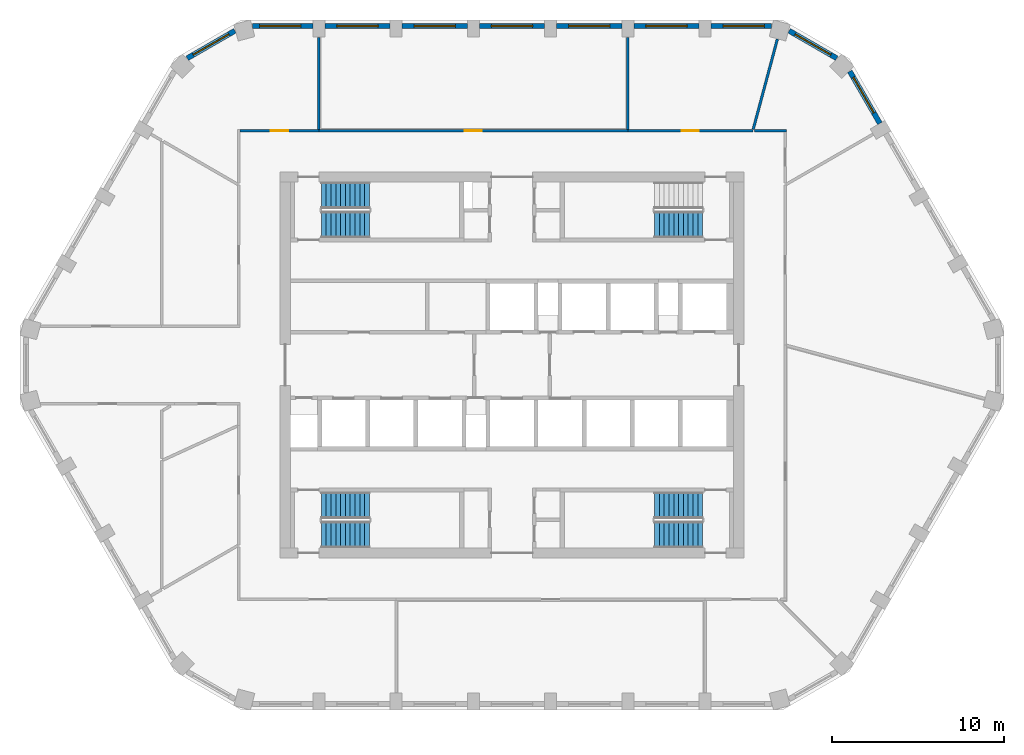
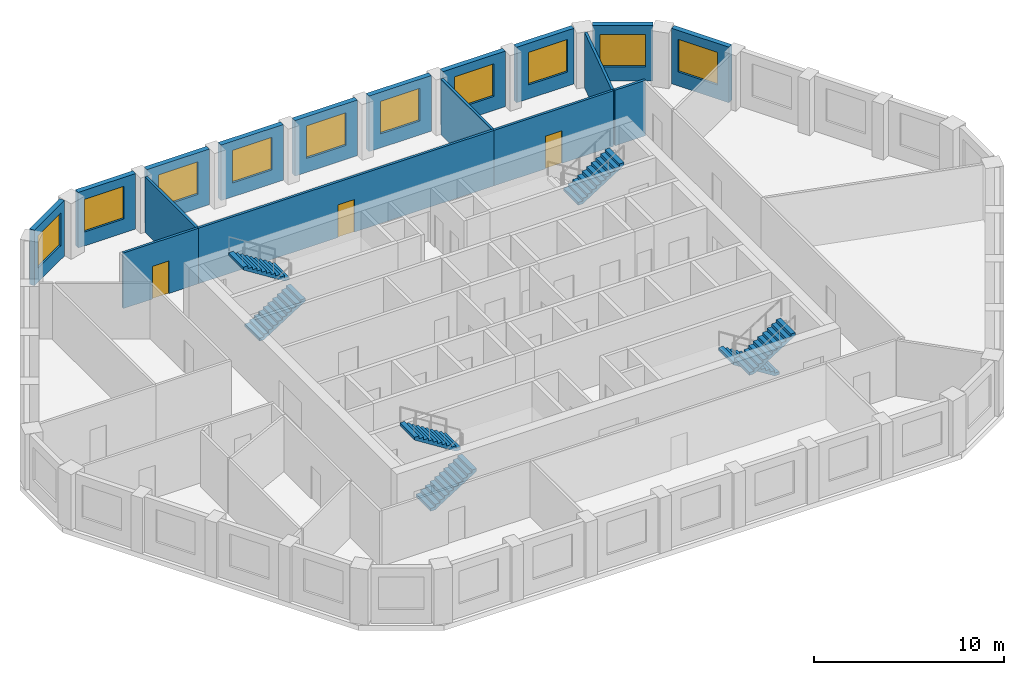
# One storey, part 6 of 10: 17 walls, 10 windows, 7 stair flights, 3 doors, 13 openings, 4 elements without a shape of their own.
"""IFC4 building model written with IfcOpenShell, lengths in metres."""

from ifc_helpers import new_model, si_unit, direction, frame, frame_2d, origin, place, context, subcontext, project, spatial, polyline, rectangle, outline, extrude, material, layer, layer_set, type_object, element, fill, aggregate, save


model = new_model("IFC4")

# Units and contexts
model_context = context("Model", 3, precision=1e-05, world=origin(), true_north=direction((0.0, 1.0)))
body_context = subcontext(model_context, "Body", "Model", "MODEL_VIEW")
ifc_project = project(units=[si_unit("LENGTHUNIT", "METRE"), si_unit("AREAUNIT", "SQUARE_METRE"), si_unit("VOLUMEUNIT", "CUBIC_METRE"), si_unit("PLANEANGLEUNIT", "RADIAN"), si_unit("MASSUNIT", "GRAM", prefix="KILO")], contexts=[model_context])

# Site, building, storey
site_placement = place(None, origin())
site = spatial("IfcSite", under=ifc_project, at=site_placement, CompositionType="ELEMENT")
building_placement = place(site_placement, origin())
building = spatial("IfcBuilding", under=site, at=building_placement, Name="Dhurran Vertical Campus", CompositionType="ELEMENT")
storey_placement = place(building_placement, frame((0.0, 0.0, 243.0)))
storey = spatial("IfcBuildingStorey", under=building, at=storey_placement, Name="L60", CompositionType="ELEMENT", Elevation=243.0)

# Wall, opening, window
ifc_material_1 = material(Name="Precast concrete C50/60", Category="concrete")
ifc_layer_1 = layer(ifc_material_1, 0.300048828125)
ifc_layer_set_1 = layer_set([ifc_layer_1], Name="Precast concrete C50/60")
wall_type_1 = type_object("IfcWallType", Name="Precast spandrel wall 300", PredefinedType="SOLIDWALL", material=ifc_layer_set_1)
wall_1_placement = place(storey_placement, frame((21.418701171875, 14.06982421875, 0.0), z_axis=(0.0, 0.0, 1.0), x_axis=(-0.499960102815, 0.866048437209, 0.0)))
wall_1 = element("IfcWall", 1, at=wall_1_placement, inside=storey, type_object=wall_type_1, Name="EW1 L60.16", PredefinedType="SOLIDWALL", context=body_context, shape_type="SweptSolid", body=[
    extrude(rectangle(XDim=3.497802734375, YDim=0.300048828125, at=frame_2d((1.7490234375, 0.0))), origin(), (0.0, 0.0, 1.0), 3.574951171875),
])
opening_1_placement = place(wall_1_placement, frame((0.699462890625, 0.0, 0.89990234375)))
opening_1 = element("IfcOpeningElement", 2, at=opening_1_placement, cuts=wall_1, Name="Opening WT1", PredefinedType="OPENING", context=body_context, shape_type="SweptSolid", body=[
    extrude(rectangle(XDim=2.39990234375, YDim=2.10009765625, at=frame_2d((1.199951171875, 1.050048828125))), frame((0.0, 0.159912109375, 0.0), z_axis=(0.0, -1.0, 0.0), x_axis=(1.0, 0.0, 0.0)), (0.0, 0.0, 1.0), 0.320068359375),
])
ifc_material_2 = material(Name="Aluminium frame with solar-control glass", Category="aluminium")
window_type = type_object("IfcWindowType", Name="Punched window 2400 x 2100", PartitioningType="SINGLE_PANEL", PredefinedType="WINDOW", material=ifc_material_2)
window_1_placement = place(opening_1_placement, origin())
window_1 = element("IfcWindow", 3, at=window_1_placement, inside=storey, type_object=window_type, Name="WT1 L60.16", OverallHeight=2.10009765625, OverallWidth=2.39990234375, PartitioningType="SINGLE_PANEL", PredefinedType="WINDOW", context=body_context, shape_type="SweptSolid", body=[
    extrude(rectangle(XDim=2.39990234375, YDim=2.10009765625, at=frame_2d((1.199951171875, 1.050048828125))), frame((0.0, 0.030029296875, 0.0), z_axis=(0.0, -1.0, 0.0), x_axis=(1.0, 0.0, 0.0)), (0.0, 0.0, 1.0), 0.06005859375),
])
fill(opening_1, window_1)

wall_2_placement = place(storey_placement, frame((18.90771484375, 17.861328125, 0.0), z_axis=(0.0, 0.0, 1.0), x_axis=(-0.866025316205, 0.500000151692, 0.0)))
wall_2 = element("IfcWall", 4, at=wall_2_placement, inside=storey, type_object=wall_type_1, Name="EW1 L60.17", PredefinedType="SOLIDWALL", context=body_context, shape_type="SweptSolid", body=[
    extrude(rectangle(XDim=3.1962890625, YDim=0.300048828125, at=frame_2d((1.59814453125, 0.0))), origin(), (0.0, 0.0, 1.0), 3.574951171875),
])
opening_2_placement = place(wall_2_placement, frame((0.398193359375, 0.0, 0.89990234375)))
opening_2 = element("IfcOpeningElement", 5, at=opening_2_placement, cuts=wall_2, Name="Opening WT1", PredefinedType="OPENING", context=body_context, shape_type="SweptSolid", body=[
    extrude(rectangle(XDim=2.39990234375, YDim=2.10009765625, at=frame_2d((1.199951171875, 1.050048828125))), frame((0.0, 0.159912109375, 0.0), z_axis=(0.0, -1.0, 0.0), x_axis=(1.0, 0.0, 0.0)), (0.0, 0.0, 1.0), 0.320068359375),
])
window_2_placement = place(opening_2_placement, origin())
window_2 = element("IfcWindow", 6, at=window_2_placement, inside=storey, type_object=window_type, Name="WT1 L60.17", OverallHeight=2.10009765625, OverallWidth=2.39990234375, PartitioningType="SINGLE_PANEL", PredefinedType="WINDOW", context=body_context, shape_type="SweptSolid", body=[
    extrude(rectangle(XDim=2.39990234375, YDim=2.10009765625, at=frame_2d((1.199951171875, 1.050048828125))), frame((0.0, 0.030029296875, 0.0), z_axis=(0.0, -1.0, 0.0), x_axis=(1.0, 0.0, 0.0)), (0.0, 0.0, 1.0), 0.06005859375),
])
fill(opening_2, window_2)

wall_3_placement = place(storey_placement, frame((15.09814453125, 19.738525390625, 0.0), z_axis=(0.0, 0.0, 1.0), x_axis=(-1.0, 0.0, 0.0)))
wall_3 = element("IfcWall", 7, at=wall_3_placement, inside=storey, type_object=wall_type_1, Name="EW1 L60.18", PredefinedType="SOLIDWALL", context=body_context, shape_type="SweptSolid", body=[
    extrude(rectangle(XDim=3.49755859375, YDim=0.300048828125, at=frame_2d((1.748779296875, 0.0))), origin(), (0.0, 0.0, 1.0), 3.574951171875),
])
opening_3_placement = place(wall_3_placement, frame((0.398193359375, 0.0, 0.89990234375)))
opening_3 = element("IfcOpeningElement", 8, at=opening_3_placement, cuts=wall_3, Name="Opening WT1", PredefinedType="OPENING", context=body_context, shape_type="SweptSolid", body=[
    extrude(rectangle(XDim=2.39990234375, YDim=2.10009765625, at=frame_2d((1.199951171875, 1.050048828125))), frame((0.0, 0.159912109375, 0.0), z_axis=(0.0, -1.0, 0.0), x_axis=(1.0, 0.0, 0.0)), (0.0, 0.0, 1.0), 0.320068359375),
])
window_3_placement = place(opening_3_placement, origin())
window_3 = element("IfcWindow", 9, at=window_3_placement, inside=storey, type_object=window_type, Name="WT1 L60.18", OverallHeight=2.10009765625, OverallWidth=2.39990234375, PartitioningType="SINGLE_PANEL", PredefinedType="WINDOW", context=body_context, shape_type="SweptSolid", body=[
    extrude(rectangle(XDim=2.39990234375, YDim=2.10009765625, at=frame_2d((1.199951171875, 1.050048828125))), frame((0.0, 0.030029296875, 0.0), z_axis=(0.0, -1.0, 0.0), x_axis=(1.0, 0.0, 0.0)), (0.0, 0.0, 1.0), 0.06005859375),
])
fill(opening_3, window_3)

wall_4_placement = place(storey_placement, frame((10.8994140625, 19.738525390625, 0.0), z_axis=(0.0, 0.0, 1.0), x_axis=(-1.0, 0.0, 0.0)))
wall_4 = element("IfcWall", 10, at=wall_4_placement, inside=storey, type_object=wall_type_1, Name="EW1 L60.19", PredefinedType="SOLIDWALL", context=body_context, shape_type="SweptSolid", body=[
    extrude(rectangle(XDim=3.798828125, YDim=0.300048828125, at=frame_2d((1.8994140625, 0.0))), origin(), (0.0, 0.0, 1.0), 3.574951171875),
])
opening_4_placement = place(wall_4_placement, frame((0.699462890625, 0.0, 0.89990234375)))
opening_4 = element("IfcOpeningElement", 11, at=opening_4_placement, cuts=wall_4, Name="Opening WT1", PredefinedType="OPENING", context=body_context, shape_type="SweptSolid", body=[
    extrude(rectangle(XDim=2.39990234375, YDim=2.10009765625, at=frame_2d((1.199951171875, 1.050048828125))), frame((0.0, 0.159912109375, 0.0), z_axis=(0.0, -1.0, 0.0), x_axis=(1.0, 0.0, 0.0)), (0.0, 0.0, 1.0), 0.320068359375),
])
window_4_placement = place(opening_4_placement, origin())
window_4 = element("IfcWindow", 12, at=window_4_placement, inside=storey, type_object=window_type, Name="WT1 L60.19", OverallHeight=2.10009765625, OverallWidth=2.39990234375, PartitioningType="SINGLE_PANEL", PredefinedType="WINDOW", context=body_context, shape_type="SweptSolid", body=[
    extrude(rectangle(XDim=2.39990234375, YDim=2.10009765625, at=frame_2d((1.199951171875, 1.050048828125))), frame((0.0, 0.030029296875, 0.0), z_axis=(0.0, -1.0, 0.0), x_axis=(1.0, 0.0, 0.0)), (0.0, 0.0, 1.0), 0.06005859375),
])
fill(opening_4, window_4)

wall_5_placement = place(storey_placement, frame((6.3994140625, 19.738525390625, 0.0), z_axis=(0.0, 0.0, 1.0), x_axis=(-1.0, 0.0, 0.0)))
wall_5 = element("IfcWall", 13, at=wall_5_placement, inside=storey, type_object=wall_type_1, Name="EW1 L60.20", PredefinedType="SOLIDWALL", context=body_context, shape_type="SweptSolid", body=[
    extrude(rectangle(XDim=3.798828125, YDim=0.300048828125, at=frame_2d((1.8994140625, 0.0))), origin(), (0.0, 0.0, 1.0), 3.574951171875),
])
opening_5_placement = place(wall_5_placement, frame((0.699462890625, 0.0, 0.89990234375)))
opening_5 = element("IfcOpeningElement", 14, at=opening_5_placement, cuts=wall_5, Name="Opening WT1", PredefinedType="OPENING", context=body_context, shape_type="SweptSolid", body=[
    extrude(rectangle(XDim=2.39990234375, YDim=2.10009765625, at=frame_2d((1.199951171875, 1.050048828125))), frame((0.0, 0.159912109375, 0.0), z_axis=(0.0, -1.0, 0.0), x_axis=(1.0, 0.0, 0.0)), (0.0, 0.0, 1.0), 0.320068359375),
])
window_5_placement = place(opening_5_placement, origin())
window_5 = element("IfcWindow", 15, at=window_5_placement, inside=storey, type_object=window_type, Name="WT1 L60.20", OverallHeight=2.10009765625, OverallWidth=2.39990234375, PartitioningType="SINGLE_PANEL", PredefinedType="WINDOW", context=body_context, shape_type="SweptSolid", body=[
    extrude(rectangle(XDim=2.39990234375, YDim=2.10009765625, at=frame_2d((1.199951171875, 1.050048828125))), frame((0.0, 0.030029296875, 0.0), z_axis=(0.0, -1.0, 0.0), x_axis=(1.0, 0.0, 0.0)), (0.0, 0.0, 1.0), 0.06005859375),
])
fill(opening_5, window_5)

wall_6_placement = place(storey_placement, frame((1.8994140625, 19.738525390625, 0.0), z_axis=(0.0, 0.0, 1.0), x_axis=(-1.0, 0.0, 0.0)))
wall_6 = element("IfcWall", 16, at=wall_6_placement, inside=storey, type_object=wall_type_1, Name="EW1 L60.21", PredefinedType="SOLIDWALL", context=body_context, shape_type="SweptSolid", body=[
    extrude(rectangle(XDim=3.798828125, YDim=0.300048828125, at=frame_2d((1.8994140625, 0.0))), origin(), (0.0, 0.0, 1.0), 3.574951171875),
])
opening_6_placement = place(wall_6_placement, frame((0.699462890625, 0.0, 0.89990234375)))
opening_6 = element("IfcOpeningElement", 17, at=opening_6_placement, cuts=wall_6, Name="Opening WT1", PredefinedType="OPENING", context=body_context, shape_type="SweptSolid", body=[
    extrude(rectangle(XDim=2.39990234375, YDim=2.10009765625, at=frame_2d((1.199951171875, 1.050048828125))), frame((0.0, 0.159912109375, 0.0), z_axis=(0.0, -1.0, 0.0), x_axis=(1.0, 0.0, 0.0)), (0.0, 0.0, 1.0), 0.320068359375),
])
window_6_placement = place(opening_6_placement, origin())
window_6 = element("IfcWindow", 18, at=window_6_placement, inside=storey, type_object=window_type, Name="WT1 L60.21", OverallHeight=2.10009765625, OverallWidth=2.39990234375, PartitioningType="SINGLE_PANEL", PredefinedType="WINDOW", context=body_context, shape_type="SweptSolid", body=[
    extrude(rectangle(XDim=2.39990234375, YDim=2.10009765625, at=frame_2d((1.199951171875, 1.050048828125))), frame((0.0, 0.030029296875, 0.0), z_axis=(0.0, -1.0, 0.0), x_axis=(1.0, 0.0, 0.0)), (0.0, 0.0, 1.0), 0.06005859375),
])
fill(opening_6, window_6)

wall_7_placement = place(storey_placement, frame((-2.6005859375, 19.738525390625, 0.0), z_axis=(0.0, 0.0, 1.0), x_axis=(-1.0, 0.0, 0.0)))
wall_7 = element("IfcWall", 19, at=wall_7_placement, inside=storey, type_object=wall_type_1, Name="EW1 L60.22", PredefinedType="SOLIDWALL", context=body_context, shape_type="SweptSolid", body=[
    extrude(rectangle(XDim=3.798828125, YDim=0.300048828125, at=frame_2d((1.8994140625, 0.0))), origin(), (0.0, 0.0, 1.0), 3.574951171875),
])
opening_7_placement = place(wall_7_placement, frame((0.699462890625, 0.0, 0.89990234375)))
opening_7 = element("IfcOpeningElement", 20, at=opening_7_placement, cuts=wall_7, Name="Opening WT1", PredefinedType="OPENING", context=body_context, shape_type="SweptSolid", body=[
    extrude(rectangle(XDim=2.39990234375, YDim=2.10009765625, at=frame_2d((1.199951171875, 1.050048828125))), frame((0.0, 0.159912109375, 0.0), z_axis=(0.0, -1.0, 0.0), x_axis=(1.0, 0.0, 0.0)), (0.0, 0.0, 1.0), 0.320068359375),
])
window_7_placement = place(opening_7_placement, origin())
window_7 = element("IfcWindow", 21, at=window_7_placement, inside=storey, type_object=window_type, Name="WT1 L60.22", OverallHeight=2.10009765625, OverallWidth=2.39990234375, PartitioningType="SINGLE_PANEL", PredefinedType="WINDOW", context=body_context, shape_type="SweptSolid", body=[
    extrude(rectangle(XDim=2.39990234375, YDim=2.10009765625, at=frame_2d((1.199951171875, 1.050048828125))), frame((0.0, 0.030029296875, 0.0), z_axis=(0.0, -1.0, 0.0), x_axis=(1.0, 0.0, 0.0)), (0.0, 0.0, 1.0), 0.06005859375),
])
fill(opening_7, window_7)

wall_8_placement = place(storey_placement, frame((-7.1005859375, 19.738525390625, 0.0), z_axis=(0.0, 0.0, 1.0), x_axis=(-1.0, 0.0, 0.0)))
wall_8 = element("IfcWall", 22, at=wall_8_placement, inside=storey, type_object=wall_type_1, Name="EW1 L60.23", PredefinedType="SOLIDWALL", context=body_context, shape_type="SweptSolid", body=[
    extrude(rectangle(XDim=3.798828125, YDim=0.300048828125, at=frame_2d((1.8994140625, 0.0))), origin(), (0.0, 0.0, 1.0), 3.574951171875),
])
opening_8_placement = place(wall_8_placement, frame((0.699462890625, 0.0, 0.89990234375)))
opening_8 = element("IfcOpeningElement", 23, at=opening_8_placement, cuts=wall_8, Name="Opening WT1", PredefinedType="OPENING", context=body_context, shape_type="SweptSolid", body=[
    extrude(rectangle(XDim=2.39990234375, YDim=2.10009765625, at=frame_2d((1.199951171875, 1.050048828125))), frame((0.0, 0.159912109375, 0.0), z_axis=(0.0, -1.0, 0.0), x_axis=(1.0, 0.0, 0.0)), (0.0, 0.0, 1.0), 0.320068359375),
])
window_8_placement = place(opening_8_placement, origin())
window_8 = element("IfcWindow", 24, at=window_8_placement, inside=storey, type_object=window_type, Name="WT1 L60.23", OverallHeight=2.10009765625, OverallWidth=2.39990234375, PartitioningType="SINGLE_PANEL", PredefinedType="WINDOW", context=body_context, shape_type="SweptSolid", body=[
    extrude(rectangle(XDim=2.39990234375, YDim=2.10009765625, at=frame_2d((1.199951171875, 1.050048828125))), frame((0.0, 0.030029296875, 0.0), z_axis=(0.0, -1.0, 0.0), x_axis=(1.0, 0.0, 0.0)), (0.0, 0.0, 1.0), 0.06005859375),
])
fill(opening_8, window_8)

wall_9_placement = place(storey_placement, frame((-11.6005859375, 19.738525390625, 0.0), z_axis=(0.0, 0.0, 1.0), x_axis=(-1.0, 0.0, 0.0)))
wall_9 = element("IfcWall", 25, at=wall_9_placement, inside=storey, type_object=wall_type_1, Name="EW1 L60.24", PredefinedType="SOLIDWALL", context=body_context, shape_type="SweptSolid", body=[
    extrude(rectangle(XDim=3.49755859375, YDim=0.300048828125, at=frame_2d((1.748779296875, 0.0))), origin(), (0.0, 0.0, 1.0), 3.574951171875),
])
opening_9_placement = place(wall_9_placement, frame((0.699462890625, 0.0, 0.89990234375)))
opening_9 = element("IfcOpeningElement", 26, at=opening_9_placement, cuts=wall_9, Name="Opening WT1", PredefinedType="OPENING", context=body_context, shape_type="SweptSolid", body=[
    extrude(rectangle(XDim=2.39990234375, YDim=2.10009765625, at=frame_2d((1.199951171875, 1.050048828125))), frame((0.0, 0.159912109375, 0.0), z_axis=(0.0, -1.0, 0.0), x_axis=(1.0, 0.0, 0.0)), (0.0, 0.0, 1.0), 0.320068359375),
])
window_9_placement = place(opening_9_placement, origin())
window_9 = element("IfcWindow", 27, at=window_9_placement, inside=storey, type_object=window_type, Name="WT1 L60.24", OverallHeight=2.10009765625, OverallWidth=2.39990234375, PartitioningType="SINGLE_PANEL", PredefinedType="WINDOW", context=body_context, shape_type="SweptSolid", body=[
    extrude(rectangle(XDim=2.39990234375, YDim=2.10009765625, at=frame_2d((1.199951171875, 1.050048828125))), frame((0.0, 0.030029296875, 0.0), z_axis=(0.0, -1.0, 0.0), x_axis=(1.0, 0.0, 0.0)), (0.0, 0.0, 1.0), 0.06005859375),
])
fill(opening_9, window_9)

wall_10_placement = place(storey_placement, frame((-16.1396484375, 19.45947265625, 0.0), z_axis=(0.0, 0.0, 1.0), x_axis=(-0.866025316205, -0.500000151692, 0.0)))
wall_10 = element("IfcWall", 28, at=wall_10_placement, inside=storey, type_object=wall_type_1, Name="EW1 L60.25", PredefinedType="SOLIDWALL", context=body_context, shape_type="SweptSolid", body=[
    extrude(rectangle(XDim=3.1962890625, YDim=0.300048828125, at=frame_2d((1.59814453125, 0.0))), origin(), (0.0, 0.0, 1.0), 3.574951171875),
])
opening_10_placement = place(wall_10_placement, frame((0.398193359375, 0.0, 0.89990234375)))
opening_10 = element("IfcOpeningElement", 29, at=opening_10_placement, cuts=wall_10, Name="Opening WT1", PredefinedType="OPENING", context=body_context, shape_type="SweptSolid", body=[
    extrude(rectangle(XDim=2.39990234375, YDim=2.10009765625, at=frame_2d((1.199951171875, 1.050048828125))), frame((0.0, 0.159912109375, 0.0), z_axis=(0.0, -1.0, 0.0), x_axis=(1.0, 0.0, 0.0)), (0.0, 0.0, 1.0), 0.320068359375),
])
window_10_placement = place(opening_10_placement, origin())
window_10 = element("IfcWindow", 30, at=window_10_placement, inside=storey, type_object=window_type, Name="WT1 L60.25", OverallHeight=2.10009765625, OverallWidth=2.39990234375, PartitioningType="SINGLE_PANEL", PredefinedType="WINDOW", context=body_context, shape_type="SweptSolid", body=[
    extrude(rectangle(XDim=2.39990234375, YDim=2.10009765625, at=frame_2d((1.199951171875, 1.050048828125))), frame((0.0, 0.030029296875, 0.0), z_axis=(0.0, -1.0, 0.0), x_axis=(1.0, 0.0, 0.0)), (0.0, 0.0, 1.0), 0.06005859375),
])
fill(opening_10, window_10)

# Wall, opening, door
ifc_material_3 = material(Name="Gypsum board corridor wall on steel studs", Category="steel")
ifc_layer_2 = layer(ifc_material_3, 0.14990234375)
ifc_layer_set_2 = layer_set([ifc_layer_2], Name="Gypsum board corridor wall on steel studs")
wall_type_2 = type_object("IfcWallType", Name="fl-CW-150 corridor wall", PredefinedType="PARTITIONING", material=ifc_layer_set_2)
wall_11_placement = place(storey_placement, frame((-11.25, 13.64990234375, 0.0), z_axis=(0.0, 0.0, 1.0), x_axis=(-1.0, 0.0, 0.0)))
wall_11 = element("IfcWall", 31, at=wall_11_placement, inside=storey, type_object=wall_type_2, Name="Partition 60-20", PredefinedType="PARTITIONING", context=body_context, shape_type="SweptSolid", body=[
    extrude(rectangle(XDim=4.574951171875, YDim=0.14990234375, at=frame_2d((2.28759765625, 0.0))), origin(), (0.0, 0.0, 1.0), 3.574951171875),
])
opening_11_placement = place(wall_11_placement, frame((1.78759765625, 0.0, 0.0)))
opening_11 = element("IfcOpeningElement", 32, at=opening_11_placement, cuts=wall_11, Name="Opening T17.06", PredefinedType="OPENING", context=body_context, shape_type="SweptSolid", body=[
    extrude(rectangle(XDim=1.0, YDim=2.10009765625, at=frame_2d((0.5, 1.050048828125))), frame((0.0, 0.0849609375, 0.0), z_axis=(0.0, -1.0, 0.0), x_axis=(1.0, 0.0, 0.0)), (0.0, 0.0, 1.0), 0.169921875),
])
ifc_material_4 = material(Name="Solid-core timber door set, fire-rated", Category="wood")
door_type = type_object("IfcDoorType", Name="fl-D-1000x2100", OperationType="SINGLE_SWING_LEFT", PredefinedType="DOOR", material=ifc_material_4)
door_1_placement = place(opening_11_placement, origin())
door_1 = element("IfcDoor", 33, at=door_1_placement, inside=storey, type_object=door_type, Name="Door 60.06", OperationType="SINGLE_SWING_LEFT", OverallHeight=2.10009765625, OverallWidth=1.0, PredefinedType="DOOR", context=body_context, shape_type="SweptSolid", body=[
    extrude(rectangle(XDim=1.0, YDim=2.10009765625, at=frame_2d((0.5, 1.050048828125))), frame((0.0, 0.02490234375, 0.0), z_axis=(0.0, -1.0, 0.0), x_axis=(1.0, 0.0, 0.0)), (0.0, 0.0, 1.0), 0.050048828125),
])
fill(opening_11, door_1)

wall_12_placement = place(storey_placement, frame((6.75, 13.64990234375, 0.0), z_axis=(0.0, 0.0, 1.0), x_axis=(-1.0, 0.0, 0.0)))
wall_12 = element("IfcWall", 34, at=wall_12_placement, inside=storey, type_object=wall_type_2, Name="Partition 60-22", PredefinedType="PARTITIONING", context=body_context, shape_type="SweptSolid", body=[
    extrude(rectangle(XDim=18.0, YDim=0.14990234375, at=frame_2d((9.0, 0.0))), origin(), (0.0, 0.0, 1.0), 3.574951171875),
])
opening_12_placement = place(wall_12_placement, frame((8.5, 0.0, 0.0)))
opening_12 = element("IfcOpeningElement", 35, at=opening_12_placement, cuts=wall_12, Name="Opening T17.08", PredefinedType="OPENING", context=body_context, shape_type="SweptSolid", body=[
    extrude(rectangle(XDim=1.0, YDim=2.10009765625, at=frame_2d((0.5, 1.050048828125))), frame((0.0, 0.0849609375, 0.0), z_axis=(0.0, -1.0, 0.0), x_axis=(1.0, 0.0, 0.0)), (0.0, 0.0, 1.0), 0.169921875),
])
door_2_placement = place(opening_12_placement, origin())
door_2 = element("IfcDoor", 36, at=door_2_placement, inside=storey, type_object=door_type, Name="Door 60.08", OperationType="SINGLE_SWING_RIGHT", OverallHeight=2.10009765625, OverallWidth=1.0, PredefinedType="DOOR", context=body_context, shape_type="SweptSolid", body=[
    extrude(rectangle(XDim=1.0, YDim=2.10009765625, at=frame_2d((0.5, 1.050048828125))), frame((0.0, 0.02490234375, 0.0), z_axis=(0.0, -1.0, 0.0), x_axis=(1.0, 0.0, 0.0)), (0.0, 0.0, 1.0), 0.050048828125),
])
fill(opening_12, door_2)

wall_13_placement = place(storey_placement, frame((14.02490234375, 13.64990234375, 0.0), z_axis=(0.0, 0.0, 1.0), x_axis=(-1.0, 0.0, 0.0)))
wall_13 = element("IfcWall", 37, at=wall_13_placement, inside=storey, type_object=wall_type_2, Name="Partition 60-26", PredefinedType="PARTITIONING", context=body_context, shape_type="SweptSolid", body=[
    extrude(rectangle(XDim=7.27490234375, YDim=0.14990234375, at=frame_2d((3.637451171875, 0.0))), origin(), (0.0, 0.0, 1.0), 3.574951171875),
])
opening_13_placement = place(wall_13_placement, frame((3.137451171875, 0.0, 0.0)))
opening_13 = element("IfcOpeningElement", 38, at=opening_13_placement, cuts=wall_13, Name="Opening T17.10", PredefinedType="OPENING", context=body_context, shape_type="SweptSolid", body=[
    extrude(rectangle(XDim=1.0, YDim=2.10009765625, at=frame_2d((0.5, 1.050048828125))), frame((0.0, 0.0849609375, 0.0), z_axis=(0.0, -1.0, 0.0), x_axis=(1.0, 0.0, 0.0)), (0.0, 0.0, 1.0), 0.169921875),
])
door_3_placement = place(opening_13_placement, origin())
door_3 = element("IfcDoor", 39, at=door_3_placement, inside=storey, type_object=door_type, Name="Door 60.10", OperationType="SINGLE_SWING_RIGHT", OverallHeight=2.10009765625, OverallWidth=1.0, PredefinedType="DOOR", context=body_context, shape_type="SweptSolid", body=[
    extrude(rectangle(XDim=1.0, YDim=2.10009765625, at=frame_2d((0.5, 1.050048828125))), frame((0.0, 0.02490234375, 0.0), z_axis=(0.0, -1.0, 0.0), x_axis=(1.0, 0.0, 0.0)), (0.0, 0.0, 1.0), 0.050048828125),
])
fill(opening_13, door_3)

# Walls
wall_14_placement = place(storey_placement, frame((15.97509765625, 13.64990234375, 0.0), z_axis=(0.0, 0.0, 1.0), x_axis=(-1.0, 0.0, 0.0)))
element("IfcWall", 40, at=wall_14_placement, inside=storey, type_object=wall_type_2, Name="Partition 60-30", PredefinedType="PARTITIONING", context=body_context, shape_type="SweptSolid", body=[
    extrude(rectangle(XDim=1.85498046875, YDim=0.14990234375, at=frame_2d((0.927490234375, 0.0))), origin(), (0.0, 0.0, 1.0), 3.574951171875),
])
ifc_material_5 = material(Name="Gypsum board partition on steel studs", Category="steel")
ifc_layer_3 = layer(ifc_material_5, 0.14990234375)
ifc_layer_set_3 = layer_set([ifc_layer_3], Name="Gypsum board partition on steel studs")
wall_type_3 = type_object("IfcWallType", Name="fl-PW-150 fixed partition", PredefinedType="PARTITIONING", material=ifc_layer_set_3)
for number, where, z_axis, x_axis, name in (
    (41, (-11.25, 19.068603515625, 0.0), (0.0, 0.0, 1.0), (0.0, -1.0, 0.0), "Partition 60-21"),
    (42, (6.75, 19.068603515625, 0.0), (0.0, 0.0, 1.0), (0.0, -1.0, 0.0), "Partition 60-25"),
):
    element("IfcWall", number, at=place(storey_placement, frame(where, z_axis=z_axis, x_axis=x_axis)), inside=storey, type_object=wall_type_3, Name=name, PredefinedType="PARTITIONING", context=body_context, shape_type="SweptSolid", body=[
        extrude(rectangle(XDim=5.343505859375, YDim=0.14990234375, at=frame_2d((2.671875, 0.0))), origin(), (0.0, 0.0, 1.0), 3.574951171875),
    ])
wall_15_placement = place(storey_placement, frame((15.451904296875, 18.9736328125, 0.0), z_axis=(0.0, 0.0, 1.0), x_axis=(-0.258889468925, -0.965906953531, 0.0)))
element("IfcWall", 43, at=wall_15_placement, inside=storey, type_object=wall_type_3, Name="Partition 60-29", PredefinedType="PARTITIONING", context=body_context, shape_type="SweptSolid", body=[
    extrude(rectangle(XDim=5.4365234375, YDim=0.14990234375, at=frame_2d((2.71826171875, 0.0))), origin(), (0.0, 0.0, 1.0), 3.574951171875),
])

# Stair, stair flights
ifc_material_6 = material(Name="Concrete C40/50", Category="concrete")
stair_type = type_object("IfcStairType", Name="co-ST-CORE", PredefinedType="HALF_TURN_STAIR", material=ifc_material_6)
stair_1_placement = place(storey_placement, origin())
stair_1 = element("IfcStair", 44, at=stair_1_placement, inside=storey, type_object=stair_type, Name="L60 Protected exit stair ST1", PredefinedType="HALF_TURN_STAIR")
ifc_material_7 = material(Name="Concrete C40/50", Category="concrete")
stair_flight_type = type_object("IfcStairFlightType", Name="co-SFL-RC", PredefinedType="STRAIGHT", material=ifc_material_7)
stair_flight_1_placement = place(storey_placement, frame((-11.10009765625, 8.175048828125, 0.0), z_axis=(0.0, 0.0, 1.0), x_axis=(1.0, 0.0, 0.0)))
stair_flight_1 = element("IfcStairFlight", 45, at=stair_flight_1_placement, type_object=stair_flight_type, Name="ST1 flight 1", NumberOfRisers=11, NumberOfTreads=10, PredefinedType="STRAIGHT", RiserHeight=0.177272727, TreadLength=0.28, context=body_context, shape_type="SweptSolid", body=[
    extrude(outline(polyline([(0.0, 0.0), (0.0, 0.17724609375), (0.280029296875, 0.17724609375), (0.280029296875, 0.3544921875), (0.56005859375, 0.3544921875), (0.56005859375, 0.53173828125), (0.840087890625, 0.53173828125), (0.840087890625, 0.708984375), (1.1201171875, 0.708984375), (1.1201171875, 0.886474609375), (1.39990234375, 0.886474609375), (1.39990234375, 1.063720703125), (1.679931640625, 1.063720703125), (1.679931640625, 1.240966796875), (1.9599609375, 1.240966796875), (1.9599609375, 1.418212890625), (2.239990234375, 1.418212890625), (2.239990234375, 1.595458984375), (2.52001953125, 1.595458984375), (2.52001953125, 1.772705078125), (2.800048828125, 1.772705078125), (2.800048828125, 1.949951171875), (2.800048828125, 1.59521484375), (0.2802734375, 0.0), (0.0, 0.0)])), frame((0.0, 0.77490234375, 0.0), z_axis=(0.0, -1.0, 0.0), x_axis=(1.0, 0.0, 0.0)), (0.0, 0.0, 1.0), 1.550048828125),
])
stair_flight_2_placement = place(storey_placement, frame((-8.300048828125, 9.875, 1.949951171875), z_axis=(0.0, 0.0, 1.0), x_axis=(-1.0, 0.0, 0.0)))
stair_flight_2 = element("IfcStairFlight", 46, at=stair_flight_2_placement, type_object=stair_flight_type, Name="ST1 flight 2", NumberOfRisers=11, NumberOfTreads=10, PredefinedType="STRAIGHT", RiserHeight=0.177272727, TreadLength=0.28, context=body_context, shape_type="SweptSolid", body=[
    extrude(outline(polyline([(0.0, 0.0), (0.0, 0.17724609375), (0.280029296875, 0.17724609375), (0.280029296875, 0.3544921875), (0.56005859375, 0.3544921875), (0.56005859375, 0.53173828125), (0.840087890625, 0.53173828125), (0.840087890625, 0.708984375), (1.1201171875, 0.708984375), (1.1201171875, 0.886474609375), (1.39990234375, 0.886474609375), (1.39990234375, 1.063720703125), (1.679931640625, 1.063720703125), (1.679931640625, 1.240966796875), (1.9599609375, 1.240966796875), (1.9599609375, 1.418212890625), (2.239990234375, 1.418212890625), (2.239990234375, 1.595458984375), (2.52001953125, 1.595458984375), (2.52001953125, 1.772705078125), (2.800048828125, 1.772705078125), (2.800048828125, 1.949951171875), (2.800048828125, 1.59521484375), (0.2802734375, 0.0), (0.0, 0.0)])), frame((0.0, 0.77490234375, 0.0), z_axis=(0.0, -1.0, 0.0), x_axis=(1.0, 0.0, 0.0)), (0.0, 0.0, 1.0), 1.550048828125),
])
aggregate(stair_1, [stair_flight_1, stair_flight_2])

# Stair, stair flight
stair_2_placement = place(storey_placement, origin())
stair_2 = element("IfcStair", 47, at=stair_2_placement, inside=storey, type_object=stair_type, Name="L60 Protected exit stair ST2", PredefinedType="HALF_TURN_STAIR")
stair_flight_3_placement = place(storey_placement, frame((8.300048828125, 8.175048828125, 1.949951171875), z_axis=(0.0, 0.0, 1.0), x_axis=(1.0, 0.0, 0.0)))
stair_flight_3 = element("IfcStairFlight", 48, at=stair_flight_3_placement, type_object=stair_flight_type, Name="ST2 flight 2", NumberOfRisers=11, NumberOfTreads=10, PredefinedType="STRAIGHT", RiserHeight=0.177272727, TreadLength=0.28, context=body_context, shape_type="SweptSolid", body=[
    extrude(outline(polyline([(0.0, 0.0), (0.0, 0.17724609375), (0.280029296875, 0.17724609375), (0.280029296875, 0.3544921875), (0.56005859375, 0.3544921875), (0.56005859375, 0.53173828125), (0.840087890625, 0.53173828125), (0.840087890625, 0.708984375), (1.1201171875, 0.708984375), (1.1201171875, 0.886474609375), (1.39990234375, 0.886474609375), (1.39990234375, 1.063720703125), (1.679931640625, 1.063720703125), (1.679931640625, 1.240966796875), (1.9599609375, 1.240966796875), (1.9599609375, 1.418212890625), (2.239990234375, 1.418212890625), (2.239990234375, 1.595458984375), (2.52001953125, 1.595458984375), (2.52001953125, 1.772705078125), (2.800048828125, 1.772705078125), (2.800048828125, 1.949951171875), (2.800048828125, 1.59521484375), (0.2802734375, 0.0), (0.0, 0.0)])), frame((0.0, 0.77490234375, 0.0), z_axis=(0.0, -1.0, 0.0), x_axis=(1.0, 0.0, 0.0)), (0.0, 0.0, 1.0), 1.550048828125),
])
aggregate(stair_2, [stair_flight_3])

# Stair, stair flights
stair_3_placement = place(storey_placement, origin())
stair_3 = element("IfcStair", 49, at=stair_3_placement, inside=storey, type_object=stair_type, Name="L60 Protected exit stair ST3", PredefinedType="HALF_TURN_STAIR")
stair_flight_4_placement = place(storey_placement, frame((-11.10009765625, -9.875, 0.0), z_axis=(0.0, 0.0, 1.0), x_axis=(1.0, 0.0, 0.0)))
stair_flight_4 = element("IfcStairFlight", 50, at=stair_flight_4_placement, type_object=stair_flight_type, Name="ST3 flight 1", NumberOfRisers=11, NumberOfTreads=10, PredefinedType="STRAIGHT", RiserHeight=0.177272727, TreadLength=0.28, context=body_context, shape_type="SweptSolid", body=[
    extrude(outline(polyline([(0.0, 0.0), (0.0, 0.17724609375), (0.280029296875, 0.17724609375), (0.280029296875, 0.3544921875), (0.56005859375, 0.3544921875), (0.56005859375, 0.53173828125), (0.840087890625, 0.53173828125), (0.840087890625, 0.708984375), (1.1201171875, 0.708984375), (1.1201171875, 0.886474609375), (1.39990234375, 0.886474609375), (1.39990234375, 1.063720703125), (1.679931640625, 1.063720703125), (1.679931640625, 1.240966796875), (1.9599609375, 1.240966796875), (1.9599609375, 1.418212890625), (2.239990234375, 1.418212890625), (2.239990234375, 1.595458984375), (2.52001953125, 1.595458984375), (2.52001953125, 1.772705078125), (2.800048828125, 1.772705078125), (2.800048828125, 1.949951171875), (2.800048828125, 1.59521484375), (0.2802734375, 0.0), (0.0, 0.0)])), frame((0.0, 0.77490234375, 0.0), z_axis=(0.0, -1.0, 0.0), x_axis=(1.0, 0.0, 0.0)), (0.0, 0.0, 1.0), 1.550048828125),
])
stair_flight_5_placement = place(storey_placement, frame((-8.300048828125, -8.175048828125, 1.949951171875), z_axis=(0.0, 0.0, 1.0), x_axis=(-1.0, 0.0, 0.0)))
stair_flight_5 = element("IfcStairFlight", 51, at=stair_flight_5_placement, type_object=stair_flight_type, Name="ST3 flight 2", NumberOfRisers=11, NumberOfTreads=10, PredefinedType="STRAIGHT", RiserHeight=0.177272727, TreadLength=0.28, context=body_context, shape_type="SweptSolid", body=[
    extrude(outline(polyline([(0.0, 0.0), (0.0, 0.17724609375), (0.280029296875, 0.17724609375), (0.280029296875, 0.3544921875), (0.56005859375, 0.3544921875), (0.56005859375, 0.53173828125), (0.840087890625, 0.53173828125), (0.840087890625, 0.708984375), (1.1201171875, 0.708984375), (1.1201171875, 0.886474609375), (1.39990234375, 0.886474609375), (1.39990234375, 1.063720703125), (1.679931640625, 1.063720703125), (1.679931640625, 1.240966796875), (1.9599609375, 1.240966796875), (1.9599609375, 1.418212890625), (2.239990234375, 1.418212890625), (2.239990234375, 1.595458984375), (2.52001953125, 1.595458984375), (2.52001953125, 1.772705078125), (2.800048828125, 1.772705078125), (2.800048828125, 1.949951171875), (2.800048828125, 1.59521484375), (0.2802734375, 0.0), (0.0, 0.0)])), frame((0.0, 0.77490234375, 0.0), z_axis=(0.0, -1.0, 0.0), x_axis=(1.0, 0.0, 0.0)), (0.0, 0.0, 1.0), 1.550048828125),
])
aggregate(stair_3, [stair_flight_4, stair_flight_5])

stair_4_placement = place(storey_placement, origin())
stair_4 = element("IfcStair", 52, at=stair_4_placement, inside=storey, type_object=stair_type, Name="L60 Protected exit stair ST4", PredefinedType="HALF_TURN_STAIR")
stair_flight_6_placement = place(storey_placement, frame((11.10009765625, -8.175048828125, 0.0), z_axis=(0.0, 0.0, 1.0), x_axis=(-1.0, 0.0, 0.0)))
stair_flight_6 = element("IfcStairFlight", 53, at=stair_flight_6_placement, type_object=stair_flight_type, Name="ST4 flight 1", NumberOfRisers=11, NumberOfTreads=10, PredefinedType="STRAIGHT", RiserHeight=0.177272727, TreadLength=0.28, context=body_context, shape_type="SweptSolid", body=[
    extrude(outline(polyline([(0.0, 0.0), (0.0, 0.17724609375), (0.280029296875, 0.17724609375), (0.280029296875, 0.3544921875), (0.56005859375, 0.3544921875), (0.56005859375, 0.53173828125), (0.840087890625, 0.53173828125), (0.840087890625, 0.708984375), (1.1201171875, 0.708984375), (1.1201171875, 0.886474609375), (1.39990234375, 0.886474609375), (1.39990234375, 1.063720703125), (1.679931640625, 1.063720703125), (1.679931640625, 1.240966796875), (1.9599609375, 1.240966796875), (1.9599609375, 1.418212890625), (2.239990234375, 1.418212890625), (2.239990234375, 1.595458984375), (2.52001953125, 1.595458984375), (2.52001953125, 1.772705078125), (2.800048828125, 1.772705078125), (2.800048828125, 1.949951171875), (2.800048828125, 1.59521484375), (0.2802734375, 0.0), (0.0, 0.0)])), frame((0.0, 0.77490234375, 0.0), z_axis=(0.0, -1.0, 0.0), x_axis=(1.0, 0.0, 0.0)), (0.0, 0.0, 1.0), 1.550048828125),
])
stair_flight_7_placement = place(storey_placement, frame((8.300048828125, -9.875, 1.949951171875), z_axis=(0.0, 0.0, 1.0), x_axis=(1.0, 0.0, 0.0)))
stair_flight_7 = element("IfcStairFlight", 54, at=stair_flight_7_placement, type_object=stair_flight_type, Name="ST4 flight 2", NumberOfRisers=11, NumberOfTreads=10, PredefinedType="STRAIGHT", RiserHeight=0.177272727, TreadLength=0.28, context=body_context, shape_type="SweptSolid", body=[
    extrude(outline(polyline([(0.0, 0.0), (0.0, 0.17724609375), (0.280029296875, 0.17724609375), (0.280029296875, 0.3544921875), (0.56005859375, 0.3544921875), (0.56005859375, 0.53173828125), (0.840087890625, 0.53173828125), (0.840087890625, 0.708984375), (1.1201171875, 0.708984375), (1.1201171875, 0.886474609375), (1.39990234375, 0.886474609375), (1.39990234375, 1.063720703125), (1.679931640625, 1.063720703125), (1.679931640625, 1.240966796875), (1.9599609375, 1.240966796875), (1.9599609375, 1.418212890625), (2.239990234375, 1.418212890625), (2.239990234375, 1.595458984375), (2.52001953125, 1.595458984375), (2.52001953125, 1.772705078125), (2.800048828125, 1.772705078125), (2.800048828125, 1.949951171875), (2.800048828125, 1.59521484375), (0.2802734375, 0.0), (0.0, 0.0)])), frame((0.0, 0.77490234375, 0.0), z_axis=(0.0, -1.0, 0.0), x_axis=(1.0, 0.0, 0.0)), (0.0, 0.0, 1.0), 1.550048828125),
])
aggregate(stair_4, [stair_flight_6, stair_flight_7])

save(model, "model.ifc")
